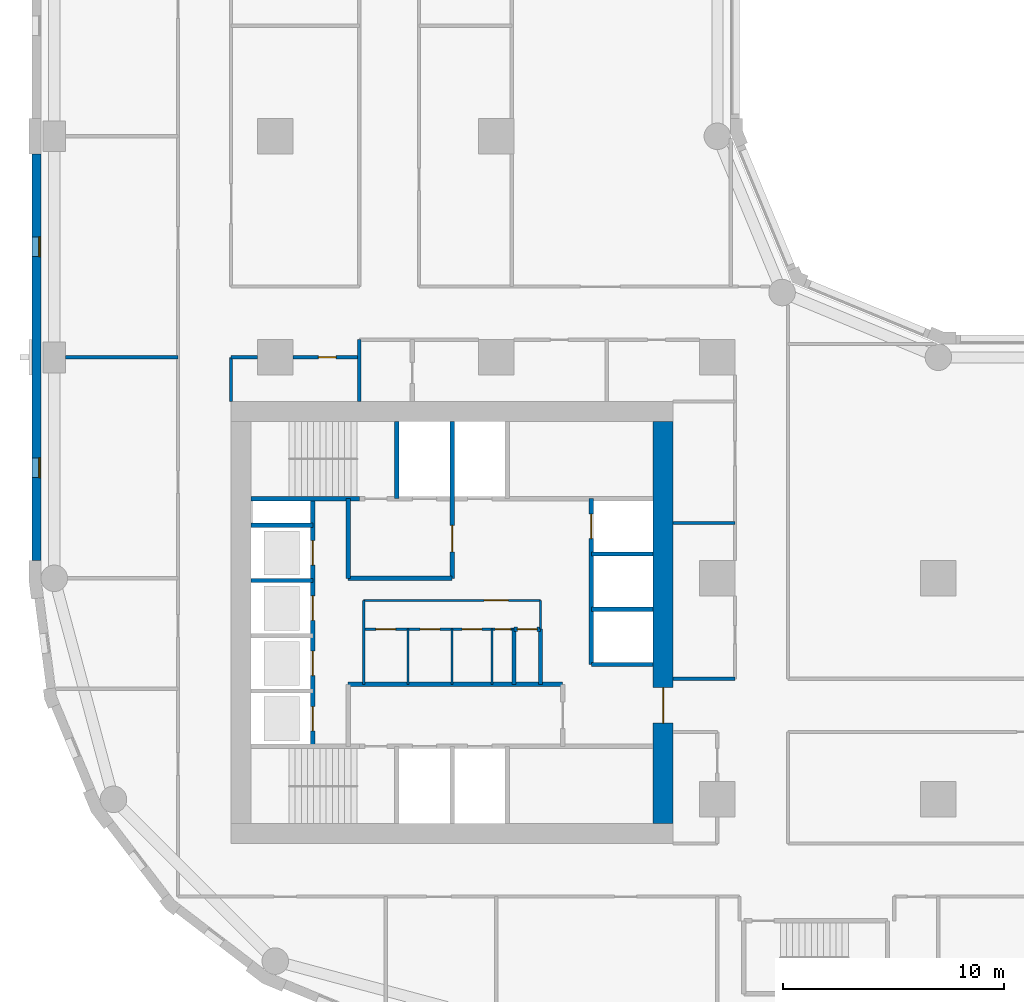
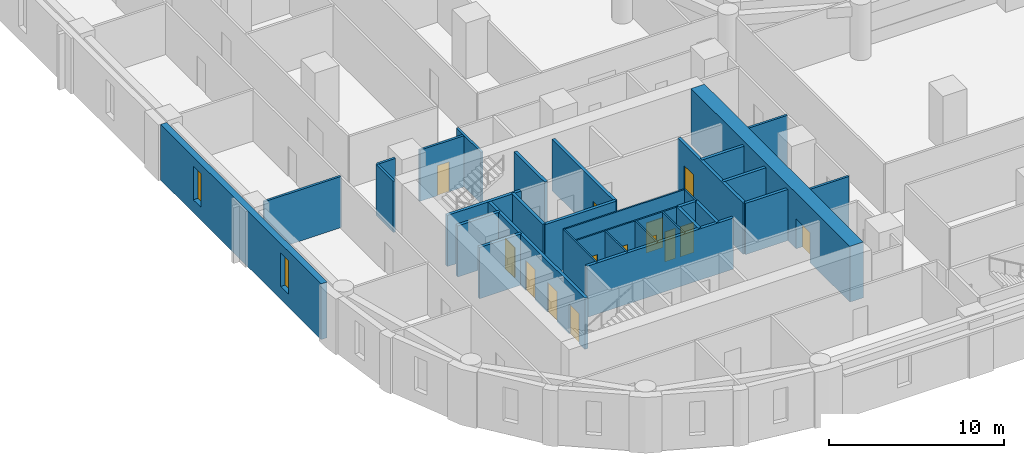
# One storey, part 3 of 10: 32 walls, 14 doors, 2 windows, 16 openings.
"""IFC4 building model written with IfcOpenShell, lengths in metres."""

from ifc_helpers import new_model, si_unit, direction, frame, frame_2d, origin, place, context, subcontext, project, spatial, rectangle, extrude, material, layer, layer_set, type_object, element, fill, save


model = new_model("IFC4")

# Units and contexts
model_context = context("Model", 3, precision=1e-05, world=origin(), true_north=direction((0.0, 1.0)))
body_context = subcontext(model_context, "Body", "Model", "MODEL_VIEW")
ifc_project = project(units=[si_unit("LENGTHUNIT", "METRE"), si_unit("AREAUNIT", "SQUARE_METRE"), si_unit("VOLUMEUNIT", "CUBIC_METRE"), si_unit("PLANEANGLEUNIT", "RADIAN"), si_unit("MASSUNIT", "GRAM", prefix="KILO")], contexts=[model_context])

# Site, building, storey
site_placement = place(None, origin())
site = spatial("IfcSite", under=ifc_project, at=site_placement, CompositionType="ELEMENT")
building_placement = place(site_placement, origin())
building = spatial("IfcBuilding", under=site, at=building_placement, Name="Qaws Garden Tower", CompositionType="ELEMENT")
storey_placement = place(building_placement, frame((0.0, 0.0, 101.699951171875)))
storey = spatial("IfcBuildingStorey", under=building, at=storey_placement, Name="L25", CompositionType="ELEMENT", Elevation=101.699951171875)

# Wall, openings, windows
ifc_material_1 = material(Name="Clay facing brick masonry", Category="masonry")
ifc_layer_1 = layer(ifc_material_1, 0.39990234375)
ifc_layer_set_1 = layer_set([ifc_layer_1], Name="Clay facing brick masonry")
wall_type_1 = type_object("IfcWallType", Name="Brick infill wall 400", PredefinedType="SOLIDWALL", material=ifc_layer_set_1)
wall_1_placement = place(storey_placement, frame((-0.800048828125, 39.199951171875, 0.0), z_axis=(0.0, 0.0, 1.0), x_axis=(0.0, -1.0, 0.0)))
wall_1 = element("IfcWall", 1, at=wall_1_placement, inside=storey, type_object=wall_type_1, Name="E-L25-infill-25", PredefinedType="SOLIDWALL", context=body_context, shape_type="SweptSolid", body=[
    extrude(rectangle(XDim=18.39990234375, YDim=0.39990234375, at=frame_2d((9.199951171875, 0.0))), origin(), (0.0, 0.0, 1.0), 3.900146484375),
])
opening_1_placement = place(wall_1_placement, frame((3.75, 0.0, 0.89990234375)))
opening_1 = element("IfcOpeningElement", 2, at=opening_1_placement, cuts=wall_1, Name="Opening W09", PredefinedType="OPENING", context=body_context, shape_type="SweptSolid", body=[
    extrude(rectangle(XDim=0.89990234375, YDim=2.35009765625, at=frame_2d((0.449951171875, 1.175048828125))), frame((0.0, 0.2099609375, 0.0), z_axis=(0.0, -1.0, 0.0), x_axis=(1.0, 0.0, 0.0)), (0.0, 0.0, 1.0), 0.419921875),
])
opening_2_placement = place(wall_1_placement, frame((13.75, 0.0, 0.89990234375)))
opening_2 = element("IfcOpeningElement", 3, at=opening_2_placement, cuts=wall_1, Name="Opening W09", PredefinedType="OPENING", context=body_context, shape_type="SweptSolid", body=[
    extrude(rectangle(XDim=0.89990234375, YDim=2.35009765625, at=frame_2d((0.449951171875, 1.175048828125))), frame((0.0, 0.2099609375, 0.0), z_axis=(0.0, -1.0, 0.0), x_axis=(1.0, 0.0, 0.0)), (0.0, 0.0, 1.0), 0.419921875),
])
ifc_material_2 = material(Name="Aluminium framed window, clear glazing", Category="aluminium")
window_type = type_object("IfcWindowType", Name="Slit window 900 x 2350", PartitioningType="SINGLE_PANEL", PredefinedType="WINDOW", material=ifc_material_2)
window_1_placement = place(opening_1_placement, origin())
window_1 = element("IfcWindow", 4, at=window_1_placement, inside=storey, type_object=window_type, Name="E-L25-window-25-0", OverallHeight=2.35009765625, OverallWidth=0.89990234375, PartitioningType="SINGLE_PANEL", PredefinedType="WINDOW", context=body_context, shape_type="SweptSolid", body=[
    extrude(rectangle(XDim=0.89990234375, YDim=2.35009765625, at=frame_2d((0.449951171875, 1.175048828125))), frame((0.0, 0.159912109375, 0.0), z_axis=(0.0, -1.0, 0.0), x_axis=(1.0, 0.0, 0.0)), (0.0, 0.0, 1.0), 0.06005859375),
])
fill(opening_1, window_1)
window_2_placement = place(opening_2_placement, origin())
window_2 = element("IfcWindow", 5, at=window_2_placement, inside=storey, type_object=window_type, Name="E-L25-window-26-0", OverallHeight=2.35009765625, OverallWidth=0.89990234375, PartitioningType="SINGLE_PANEL", PredefinedType="WINDOW", context=body_context, shape_type="SweptSolid", body=[
    extrude(rectangle(XDim=0.89990234375, YDim=2.35009765625, at=frame_2d((0.449951171875, 1.175048828125))), frame((0.0, 0.159912109375, 0.0), z_axis=(0.0, -1.0, 0.0), x_axis=(1.0, 0.0, 0.0)), (0.0, 0.0, 1.0), 0.06005859375),
])
fill(opening_2, window_2)

# Wall, openings, doors
ifc_material_3 = material(Name="Plasterboard")
ifc_layer_2 = layer(ifc_material_3, 0.10009765625)
ifc_layer_set_2 = layer_set([ifc_layer_2], Name="Plasterboard")
wall_type_2 = type_object("IfcWallType", Name="Core partition 100", PredefinedType="PARTITIONING", material=ifc_layer_set_2)
wall_2_placement = place(storey_placement, frame((14.0, 17.699951171875, 0.0), z_axis=(0.0, 0.0, 1.0), x_axis=(1.0, 0.0, 0.0)))
wall_2 = element("IfcWall", 6, at=wall_2_placement, inside=storey, type_object=wall_type_2, Name="Core partition", PredefinedType="PARTITIONING", context=body_context, shape_type="SweptSolid", body=[
    extrude(rectangle(XDim=6.800048828125, YDim=0.10009765625, at=frame_2d((3.39990234375, 0.0))), origin(), (0.0, 0.0, 1.0), 3.580078125),
])
opening_3_placement = place(wall_2_placement, frame((0.550048828125, 0.0, 0.0)))
opening_3 = element("IfcOpeningElement", 7, at=opening_3_placement, cuts=wall_2, Name="Opening WD18", PredefinedType="OPENING", context=body_context, shape_type="SweptSolid", body=[
    extrude(rectangle(XDim=0.89990234375, YDim=2.10009765625, at=frame_2d((0.449951171875, 1.050048828125))), frame((0.0, 0.06005859375, 0.0), z_axis=(0.0, -1.0, 0.0), x_axis=(1.0, 0.0, 0.0)), (0.0, 0.0, 1.0), 0.1201171875),
])
opening_4_placement = place(wall_2_placement, frame((2.550048828125, 0.0, 0.0)))
opening_4 = element("IfcOpeningElement", 8, at=opening_4_placement, cuts=wall_2, Name="Opening WD19", PredefinedType="OPENING", context=body_context, shape_type="SweptSolid", body=[
    extrude(rectangle(XDim=0.89990234375, YDim=2.10009765625, at=frame_2d((0.449951171875, 1.050048828125))), frame((0.0, 0.06005859375, 0.0), z_axis=(0.0, -1.0, 0.0), x_axis=(1.0, 0.0, 0.0)), (0.0, 0.0, 1.0), 0.1201171875),
])
opening_5_placement = place(wall_2_placement, frame((4.449951171875, 0.0, 0.0)))
opening_5 = element("IfcOpeningElement", 9, at=opening_5_placement, cuts=wall_2, Name="Opening WD20", PredefinedType="OPENING", context=body_context, shape_type="SweptSolid", body=[
    extrude(rectangle(XDim=0.89990234375, YDim=2.10009765625, at=frame_2d((0.449951171875, 1.050048828125))), frame((0.0, 0.06005859375, 0.0), z_axis=(0.0, -1.0, 0.0), x_axis=(1.0, 0.0, 0.0)), (0.0, 0.0, 1.0), 0.1201171875),
])
opening_6_placement = place(wall_2_placement, frame((5.949951171875, 0.0, 0.0)))
opening_6 = element("IfcOpeningElement", 10, at=opening_6_placement, cuts=wall_2, Name="Opening XD21", PredefinedType="OPENING", context=body_context, shape_type="SweptSolid", body=[
    extrude(rectangle(XDim=0.699951171875, YDim=2.10009765625, at=frame_2d((0.35009765625, 1.050048828125))), frame((0.0, 0.06005859375, 0.0), z_axis=(0.0, -1.0, 0.0), x_axis=(1.0, 0.0, 0.0)), (0.0, 0.0, 1.0), 0.1201171875),
])
ifc_material_4 = material(Name="Timber", Category="wood")
door_type_1 = type_object("IfcDoorType", Name="Store door 700x2100", OperationType="SINGLE_SWING_LEFT", PredefinedType="DOOR", material=ifc_material_4)
door_1_placement = place(opening_6_placement, frame((0.699951171875, 0.0, 0.0), z_axis=(0.0, 0.0, 1.0), x_axis=(-1.0, 0.0, 0.0)))
door_1 = element("IfcDoor", 11, at=door_1_placement, inside=storey, type_object=door_type_1, Name="Cleaner's store door", OperationType="SINGLE_SWING_LEFT", OverallHeight=2.10009765625, OverallWidth=0.699951171875, PredefinedType="DOOR", context=body_context, shape_type="SweptSolid", body=[
    extrude(rectangle(XDim=0.699951171875, YDim=2.10009765625, at=frame_2d((0.35009765625, 1.050048828125))), frame((0.0, 0.02490234375, 0.0), z_axis=(0.0, -1.0, 0.0), x_axis=(1.0, 0.0, 0.0)), (0.0, 0.0, 1.0), 0.050048828125),
])
fill(opening_6, door_1)
ifc_material_5 = material(Name="Timber", Category="wood")
door_type_2 = type_object("IfcDoorType", Name="WC door 900x2100", OperationType="SINGLE_SWING_LEFT", PredefinedType="DOOR", material=ifc_material_5)
door_2_placement = place(opening_3_placement, frame((0.89990234375, 0.0, 0.0), z_axis=(0.0, 0.0, 1.0), x_axis=(-1.0, 0.0, 0.0)))
door_2 = element("IfcDoor", 12, at=door_2_placement, inside=storey, type_object=door_type_2, Name="Women's WC door", OperationType="SINGLE_SWING_LEFT", OverallHeight=2.10009765625, OverallWidth=0.89990234375, PredefinedType="DOOR", context=body_context, shape_type="SweptSolid", body=[
    extrude(rectangle(XDim=0.89990234375, YDim=2.10009765625, at=frame_2d((0.449951171875, 1.050048828125))), frame((0.0, 0.02490234375, 0.0), z_axis=(0.0, -1.0, 0.0), x_axis=(1.0, 0.0, 0.0)), (0.0, 0.0, 1.0), 0.050048828125),
])
fill(opening_3, door_2)
door_3_placement = place(opening_4_placement, frame((0.89990234375, 0.0, 0.0), z_axis=(0.0, 0.0, 1.0), x_axis=(-1.0, 0.0, 0.0)))
door_3 = element("IfcDoor", 13, at=door_3_placement, inside=storey, type_object=door_type_2, Name="Men's WC door", OperationType="SINGLE_SWING_LEFT", OverallHeight=2.10009765625, OverallWidth=0.89990234375, PredefinedType="DOOR", context=body_context, shape_type="SweptSolid", body=[
    extrude(rectangle(XDim=0.89990234375, YDim=2.10009765625, at=frame_2d((0.449951171875, 1.050048828125))), frame((0.0, 0.02490234375, 0.0), z_axis=(0.0, -1.0, 0.0), x_axis=(1.0, 0.0, 0.0)), (0.0, 0.0, 1.0), 0.050048828125),
])
fill(opening_4, door_3)
door_4_placement = place(opening_5_placement, frame((0.89990234375, 0.0, 0.0), z_axis=(0.0, 0.0, 1.0), x_axis=(-1.0, 0.0, 0.0)))
door_4 = element("IfcDoor", 14, at=door_4_placement, inside=storey, type_object=door_type_2, Name="Accessible WC door", OperationType="SINGLE_SWING_LEFT", OverallHeight=2.10009765625, OverallWidth=0.89990234375, PredefinedType="DOOR", context=body_context, shape_type="SweptSolid", body=[
    extrude(rectangle(XDim=0.89990234375, YDim=2.10009765625, at=frame_2d((0.449951171875, 1.050048828125))), frame((0.0, 0.02490234375, 0.0), z_axis=(0.0, -1.0, 0.0), x_axis=(1.0, 0.0, 0.0)), (0.0, 0.0, 1.0), 0.050048828125),
])
fill(opening_5, door_4)

# Wall, opening, door
wall_3_placement = place(storey_placement, frame((14.0, 19.0, 0.0), z_axis=(0.0, 0.0, 1.0), x_axis=(1.0, 0.0, 0.0)))
wall_3 = element("IfcWall", 15, at=wall_3_placement, inside=storey, type_object=wall_type_2, Name="Core partition", PredefinedType="PARTITIONING", context=body_context, shape_type="SweptSolid", body=[
    extrude(rectangle(XDim=8.0, YDim=0.10009765625, at=frame_2d((4.0, 0.0))), origin(), (0.0, 0.0, 1.0), 3.580078125),
])
opening_7_placement = place(wall_3_placement, frame((5.449951171875, 0.0, 0.0)))
opening_7 = element("IfcOpeningElement", 16, at=opening_7_placement, cuts=wall_3, Name="Opening WL17", PredefinedType="OPENING", context=body_context, shape_type="SweptSolid", body=[
    extrude(rectangle(XDim=1.10009765625, YDim=2.10009765625, at=frame_2d((0.550048828125, 1.050048828125))), frame((0.0, 0.06005859375, 0.0), z_axis=(0.0, -1.0, 0.0), x_axis=(1.0, 0.0, 0.0)), (0.0, 0.0, 1.0), 0.1201171875),
])
ifc_material_6 = material(Name="Timber", Category="wood")
door_type_3 = type_object("IfcDoorType", Name="WC lobby door 1100x2100", OperationType="SINGLE_SWING_LEFT", PredefinedType="DOOR", material=ifc_material_6)
door_5_placement = place(opening_7_placement, frame((1.10009765625, 0.0, 0.0), z_axis=(0.0, 0.0, 1.0), x_axis=(-1.0, 0.0, 0.0)))
door_5 = element("IfcDoor", 17, at=door_5_placement, inside=storey, type_object=door_type_3, Name="WC lobby door", OperationType="SINGLE_SWING_LEFT", OverallHeight=2.10009765625, OverallWidth=1.10009765625, PredefinedType="DOOR", context=body_context, shape_type="SweptSolid", body=[
    extrude(rectangle(XDim=1.10009765625, YDim=2.10009765625, at=frame_2d((0.550048828125, 1.050048828125))), frame((0.0, 0.02490234375, 0.0), z_axis=(0.0, -1.0, 0.0), x_axis=(1.0, 0.0, 0.0)), (0.0, 0.0, 1.0), 0.050048828125),
])
fill(opening_7, door_5)

# Walls
wall_4_placement = place(storey_placement, frame((14.0, 15.199951171875, 0.0), z_axis=(0.0, 0.0, 1.0), x_axis=(0.0, 1.0, 0.0)))
element("IfcWall", 18, at=wall_4_placement, inside=storey, type_object=wall_type_2, Name="Core partition", PredefinedType="PARTITIONING", context=body_context, shape_type="SweptSolid", body=[
    extrude(rectangle(XDim=3.800048828125, YDim=0.10009765625, at=frame_2d((1.89990234375, 0.0))), origin(), (0.0, 0.0, 1.0), 3.580078125),
])
for number, where, z_axis, x_axis, name in (
    (19, (16.0, 15.199951171875, 0.0), (0.0, 0.0, 1.0), (0.0, 1.0, 0.0), "Core partition"),
    (20, (18.0, 15.199951171875, 0.0), (0.0, 0.0, 1.0), (0.0, 1.0, 0.0), "Core partition"),
    (21, (19.800048828125, 15.199951171875, 0.0), (0.0, 0.0, 1.0), (0.0, 1.0, 0.0), "Core partition"),
):
    element("IfcWall", number, at=place(storey_placement, frame(where, z_axis=z_axis, x_axis=x_axis)), inside=storey, type_object=wall_type_2, Name=name, PredefinedType="PARTITIONING", context=body_context, shape_type="SweptSolid", body=[
        extrude(rectangle(XDim=2.5, YDim=0.10009765625, at=frame_2d((1.25, 0.0))), origin(), (0.0, 0.0, 1.0), 3.580078125),
    ])
wall_5_placement = place(storey_placement, frame((22.0, 17.699951171875, 0.0), z_axis=(0.0, 0.0, 1.0), x_axis=(0.0, 1.0, 0.0)))
element("IfcWall", 22, at=wall_5_placement, inside=storey, type_object=wall_type_2, Name="Core partition", PredefinedType="PARTITIONING", context=body_context, shape_type="SweptSolid", body=[
    extrude(rectangle(XDim=1.300048828125, YDim=0.10009765625, at=frame_2d((0.64990234375, 0.0))), origin(), (0.0, 0.0, 1.0), 3.580078125),
])
ifc_material_7 = material(Name="Concrete C80", Category="concrete")
ifc_layer_3 = layer(ifc_material_7, 0.199951171875)
ifc_layer_set_3 = layer_set([ifc_layer_3], Name="Concrete C80")
wall_type_3 = type_object("IfcWallType", Name="Core shaft wall 200 C80", PredefinedType="SHEAR", material=ifc_layer_set_3)
wall_6_placement = place(storey_placement, frame((13.300048828125, 15.199951171875, 0.0), z_axis=(0.0, 0.0, 1.0), x_axis=(1.0, 0.0, 0.0)))
element("IfcWall", 23, at=wall_6_placement, inside=storey, type_object=wall_type_3, Name="Shaft wall", PredefinedType="SHEAR", context=body_context, shape_type="SweptSolid", body=[
    extrude(rectangle(XDim=9.699951171875, YDim=0.199951171875, at=frame_2d((4.85009765625, 0.0))), origin(), (0.0, 0.0, 1.0), 3.580078125),
])
wall_7_placement = place(storey_placement, frame((24.300048828125, 16.10009765625, 0.0), z_axis=(0.0, 0.0, 1.0), x_axis=(1.0, 0.0, 0.0)))
element("IfcWall", 24, at=wall_7_placement, inside=storey, type_object=wall_type_3, Name="Shaft wall", PredefinedType="SHEAR", context=body_context, shape_type="SweptSolid", body=[
    extrude(rectangle(XDim=2.800048828125, YDim=0.199951171875, at=frame_2d((1.39990234375, 0.0))), origin(), (0.0, 0.0, 1.0), 3.580078125),
])

# Wall, opening, door
wall_8_placement = place(storey_placement, frame((20.800048828125, 17.699951171875, 0.0), z_axis=(0.0, 0.0, 1.0), x_axis=(1.0, 0.0, 0.0)))
wall_8 = element("IfcWall", 25, at=wall_8_placement, inside=storey, type_object=wall_type_3, Name="Shaft wall", PredefinedType="SHEAR", context=body_context, shape_type="SweptSolid", body=[
    extrude(rectangle(XDim=1.199951171875, YDim=0.199951171875, at=frame_2d((0.60009765625, 0.0))), origin(), (0.0, 0.0, 1.0), 3.580078125),
])
opening_8_placement = place(wall_8_placement, frame((0.14990234375, 0.0, 0.0)))
opening_8 = element("IfcOpeningElement", 26, at=opening_8_placement, cuts=wall_8, Name="Opening WD22", PredefinedType="OPENING", context=body_context, shape_type="SweptSolid", body=[
    extrude(rectangle(XDim=0.89990234375, YDim=2.10009765625, at=frame_2d((0.449951171875, 1.050048828125))), frame((0.0, 0.10986328125, 0.0), z_axis=(0.0, -1.0, 0.0), x_axis=(1.0, 0.0, 0.0)), (0.0, 0.0, 1.0), 0.219970703125),
])
door_6_placement = place(opening_8_placement, frame((0.89990234375, 0.0, 0.0), z_axis=(0.0, 0.0, 1.0), x_axis=(-1.0, 0.0, 0.0)))
door_6 = element("IfcDoor", 27, at=door_6_placement, inside=storey, type_object=door_type_2, Name="Telecom riser door", OperationType="SINGLE_SWING_LEFT", OverallHeight=2.10009765625, OverallWidth=0.89990234375, PredefinedType="DOOR", context=body_context, shape_type="SweptSolid", body=[
    extrude(rectangle(XDim=0.89990234375, YDim=2.10009765625, at=frame_2d((0.449951171875, 1.050048828125))), frame((0.0, 0.02490234375, 0.0), z_axis=(0.0, -1.0, 0.0), x_axis=(1.0, 0.0, 0.0)), (0.0, 0.0, 1.0), 0.050048828125),
])
fill(opening_8, door_6)

# Walls
for number, where, z_axis, x_axis, name in (
    (28, (24.300048828125, 18.60009765625, 0.0), (0.0, 0.0, 1.0), (1.0, 0.0, 0.0), "Shaft wall"),
    (29, (8.89990234375, 19.89990234375, 0.0), (0.0, 0.0, 1.0), (1.0, 0.0, 0.0), "Shaft wall"),
):
    element("IfcWall", number, at=place(storey_placement, frame(where, z_axis=z_axis, x_axis=x_axis)), inside=storey, type_object=wall_type_3, Name=name, PredefinedType="SHEAR", context=body_context, shape_type="SweptSolid", body=[
        extrude(rectangle(XDim=2.800048828125, YDim=0.199951171875, at=frame_2d((1.39990234375, 0.0))), origin(), (0.0, 0.0, 1.0), 3.580078125),
    ])
wall_9_placement = place(storey_placement, frame((13.300048828125, 20.0, 0.0), z_axis=(0.0, 0.0, 1.0), x_axis=(1.0, 0.0, 0.0)))
element("IfcWall", 30, at=wall_9_placement, inside=storey, type_object=wall_type_3, Name="Shaft wall", PredefinedType="SHEAR", context=body_context, shape_type="SweptSolid", body=[
    extrude(rectangle(XDim=4.699951171875, YDim=0.199951171875, at=frame_2d((2.35009765625, 0.0))), origin(), (0.0, 0.0, 1.0), 3.580078125),
])
for number, where, z_axis, x_axis, name in (
    (31, (24.300048828125, 21.10009765625, 0.0), (0.0, 0.0, 1.0), (1.0, 0.0, 0.0), "Shaft wall"),
    (32, (8.89990234375, 22.39990234375, 0.0), (0.0, 0.0, 1.0), (1.0, 0.0, 0.0), "Shaft wall"),
):
    element("IfcWall", number, at=place(storey_placement, frame(where, z_axis=z_axis, x_axis=x_axis)), inside=storey, type_object=wall_type_3, Name=name, PredefinedType="SHEAR", context=body_context, shape_type="SweptSolid", body=[
        extrude(rectangle(XDim=2.800048828125, YDim=0.199951171875, at=frame_2d((1.39990234375, 0.0))), origin(), (0.0, 0.0, 1.0), 3.580078125),
    ])
wall_10_placement = place(storey_placement, frame((8.89990234375, 23.60009765625, 0.0), z_axis=(0.0, 0.0, 1.0), x_axis=(1.0, 0.0, 0.0)))
element("IfcWall", 33, at=wall_10_placement, inside=storey, type_object=wall_type_3, Name="Shaft wall", PredefinedType="SHEAR", context=body_context, shape_type="SweptSolid", body=[
    extrude(rectangle(XDim=4.900146484375, YDim=0.199951171875, at=frame_2d((2.4501953125, 0.0))), origin(), (0.0, 0.0, 1.0), 3.580078125),
])

# Wall, openings, doors
wall_11_placement = place(storey_placement, frame((11.699951171875, 12.39990234375, 0.0), z_axis=(0.0, 0.0, 1.0), x_axis=(0.0, 1.0, 0.0)))
wall_11 = element("IfcWall", 34, at=wall_11_placement, inside=storey, type_object=wall_type_3, Name="Shaft wall", PredefinedType="SHEAR", context=body_context, shape_type="SweptSolid", body=[
    extrude(rectangle(XDim=11.2001953125, YDim=0.199951171875, at=frame_2d((5.60009765625, 0.0))), origin(), (0.0, 0.0, 1.0), 3.580078125),
])
opening_9_placement = place(wall_11_placement, frame((0.699951171875, 0.0, 0.0)))
opening_9 = element("IfcOpeningElement", 35, at=opening_9_placement, cuts=wall_11, Name="Opening LD01", PredefinedType="OPENING", context=body_context, shape_type="SweptSolid", body=[
    extrude(rectangle(XDim=1.10009765625, YDim=2.10009765625, at=frame_2d((0.550048828125, 1.050048828125))), frame((0.0, 0.10986328125, 0.0), z_axis=(0.0, -1.0, 0.0), x_axis=(1.0, 0.0, 0.0)), (0.0, 0.0, 1.0), 0.219970703125),
])
opening_10_placement = place(wall_11_placement, frame((3.199951171875, 0.0, 0.0)))
opening_10 = element("IfcOpeningElement", 36, at=opening_10_placement, cuts=wall_11, Name="Opening LD02", PredefinedType="OPENING", context=body_context, shape_type="SweptSolid", body=[
    extrude(rectangle(XDim=1.10009765625, YDim=2.10009765625, at=frame_2d((0.550048828125, 1.050048828125))), frame((0.0, 0.10986328125, 0.0), z_axis=(0.0, -1.0, 0.0), x_axis=(1.0, 0.0, 0.0)), (0.0, 0.0, 1.0), 0.219970703125),
])
opening_11_placement = place(wall_11_placement, frame((5.699951171875, 0.0, 0.0)))
opening_11 = element("IfcOpeningElement", 37, at=opening_11_placement, cuts=wall_11, Name="Opening LD03", PredefinedType="OPENING", context=body_context, shape_type="SweptSolid", body=[
    extrude(rectangle(XDim=1.10009765625, YDim=2.10009765625, at=frame_2d((0.550048828125, 1.050048828125))), frame((0.0, 0.10986328125, 0.0), z_axis=(0.0, -1.0, 0.0), x_axis=(1.0, 0.0, 0.0)), (0.0, 0.0, 1.0), 0.219970703125),
])
opening_12_placement = place(wall_11_placement, frame((8.199951171875, 0.0, 0.0)))
opening_12 = element("IfcOpeningElement", 38, at=opening_12_placement, cuts=wall_11, Name="Opening LD04", PredefinedType="OPENING", context=body_context, shape_type="SweptSolid", body=[
    extrude(rectangle(XDim=1.10009765625, YDim=2.10009765625, at=frame_2d((0.550048828125, 1.050048828125))), frame((0.0, 0.10986328125, 0.0), z_axis=(0.0, -1.0, 0.0), x_axis=(1.0, 0.0, 0.0)), (0.0, 0.0, 1.0), 0.219970703125),
])
ifc_material_8 = material(Name="Steel S235", Category="steel")
door_type_4 = type_object("IfcDoorType", Name="Landing door 1100x2100", OperationType="DOUBLE_DOOR_SLIDING", PredefinedType="DOOR", material=ifc_material_8)
door_7_placement = place(opening_9_placement, origin())
door_7 = element("IfcDoor", 39, at=door_7_placement, inside=storey, type_object=door_type_4, Name="Lift W1 landing door", OperationType="DOUBLE_DOOR_SLIDING", OverallHeight=2.10009765625, OverallWidth=1.10009765625, PredefinedType="DOOR", context=body_context, shape_type="SweptSolid", body=[
    extrude(rectangle(XDim=1.10009765625, YDim=2.10009765625, at=frame_2d((0.550048828125, 1.050048828125))), frame((0.0, 0.02490234375, 0.0), z_axis=(0.0, -1.0, 0.0), x_axis=(1.0, 0.0, 0.0)), (0.0, 0.0, 1.0), 0.050048828125),
])
fill(opening_9, door_7)
door_8_placement = place(opening_10_placement, origin())
door_8 = element("IfcDoor", 40, at=door_8_placement, inside=storey, type_object=door_type_4, Name="Lift W2 landing door", OperationType="DOUBLE_DOOR_SLIDING", OverallHeight=2.10009765625, OverallWidth=1.10009765625, PredefinedType="DOOR", context=body_context, shape_type="SweptSolid", body=[
    extrude(rectangle(XDim=1.10009765625, YDim=2.10009765625, at=frame_2d((0.550048828125, 1.050048828125))), frame((0.0, 0.02490234375, 0.0), z_axis=(0.0, -1.0, 0.0), x_axis=(1.0, 0.0, 0.0)), (0.0, 0.0, 1.0), 0.050048828125),
])
fill(opening_10, door_8)
door_9_placement = place(opening_11_placement, origin())
door_9 = element("IfcDoor", 41, at=door_9_placement, inside=storey, type_object=door_type_4, Name="Lift W3 landing door", OperationType="DOUBLE_DOOR_SLIDING", OverallHeight=2.10009765625, OverallWidth=1.10009765625, PredefinedType="DOOR", context=body_context, shape_type="SweptSolid", body=[
    extrude(rectangle(XDim=1.10009765625, YDim=2.10009765625, at=frame_2d((0.550048828125, 1.050048828125))), frame((0.0, 0.02490234375, 0.0), z_axis=(0.0, -1.0, 0.0), x_axis=(1.0, 0.0, 0.0)), (0.0, 0.0, 1.0), 0.050048828125),
])
fill(opening_11, door_9)
door_10_placement = place(opening_12_placement, origin())
door_10 = element("IfcDoor", 42, at=door_10_placement, inside=storey, type_object=door_type_4, Name="Lift W4 landing door", OperationType="DOUBLE_DOOR_SLIDING", OverallHeight=2.10009765625, OverallWidth=1.10009765625, PredefinedType="DOOR", context=body_context, shape_type="SweptSolid", body=[
    extrude(rectangle(XDim=1.10009765625, YDim=2.10009765625, at=frame_2d((0.550048828125, 1.050048828125))), frame((0.0, 0.02490234375, 0.0), z_axis=(0.0, -1.0, 0.0), x_axis=(1.0, 0.0, 0.0)), (0.0, 0.0, 1.0), 0.050048828125),
])
fill(opening_12, door_10)

# Walls
wall_12_placement = place(storey_placement, frame((13.300048828125, 20.0, 0.0), z_axis=(0.0, 0.0, 1.0), x_axis=(0.0, 1.0, 0.0)))
element("IfcWall", 43, at=wall_12_placement, inside=storey, type_object=wall_type_3, Name="Shaft wall", PredefinedType="SHEAR", context=body_context, shape_type="SweptSolid", body=[
    extrude(rectangle(XDim=3.60009765625, YDim=0.199951171875, at=frame_2d((1.800048828125, 0.0))), origin(), (0.0, 0.0, 1.0), 3.580078125),
])
wall_13_placement = place(storey_placement, frame((15.5, 23.60009765625, 0.0), z_axis=(0.0, 0.0, 1.0), x_axis=(0.0, 1.0, 0.0)))
element("IfcWall", 44, at=wall_13_placement, inside=storey, type_object=wall_type_3, Name="Shaft wall", PredefinedType="SHEAR", context=body_context, shape_type="SweptSolid", body=[
    extrude(rectangle(XDim=3.5, YDim=0.199951171875, at=frame_2d((1.75, 0.0))), origin(), (0.0, 0.0, 1.0), 3.580078125),
])

# Wall, opening, door
wall_14_placement = place(storey_placement, frame((18.0, 20.0, 0.0), z_axis=(0.0, 0.0, 1.0), x_axis=(0.0, 1.0, 0.0)))
wall_14 = element("IfcWall", 45, at=wall_14_placement, inside=storey, type_object=wall_type_3, Name="Shaft wall", PredefinedType="SHEAR", context=body_context, shape_type="SweptSolid", body=[
    extrude(rectangle(XDim=7.10009765625, YDim=0.199951171875, at=frame_2d((3.550048828125, 0.0))), origin(), (0.0, 0.0, 1.0), 3.580078125),
])
opening_13_placement = place(wall_14_placement, frame((1.199951171875, 0.0, 0.0)))
opening_13 = element("IfcOpeningElement", 46, at=opening_13_placement, cuts=wall_14, Name="Opening FD16", PredefinedType="OPENING", context=body_context, shape_type="SweptSolid", body=[
    extrude(rectangle(XDim=1.199951171875, YDim=2.10009765625, at=frame_2d((0.60009765625, 1.050048828125))), frame((0.0, 0.10986328125, 0.0), z_axis=(0.0, -1.0, 0.0), x_axis=(1.0, 0.0, 0.0)), (0.0, 0.0, 1.0), 0.219970703125),
])
ifc_material_9 = material(Name="Steel S235", Category="steel")
door_type_5 = type_object("IfcDoorType", Name="Lobby door 1200x2100", OperationType="DOUBLE_DOOR_SINGLE_SWING", PredefinedType="DOOR", material=ifc_material_9)
door_11_placement = place(opening_13_placement, origin())
door_11 = element("IfcDoor", 47, at=door_11_placement, inside=storey, type_object=door_type_5, Name="Fire-fighting lobby door", OperationType="DOUBLE_DOOR_SINGLE_SWING", OverallHeight=2.10009765625, OverallWidth=1.199951171875, PredefinedType="DOOR", context=body_context, shape_type="SweptSolid", body=[
    extrude(rectangle(XDim=1.199951171875, YDim=2.10009765625, at=frame_2d((0.60009765625, 1.050048828125))), frame((0.0, 0.02490234375, 0.0), z_axis=(0.0, -1.0, 0.0), x_axis=(1.0, 0.0, 0.0)), (0.0, 0.0, 1.0), 0.050048828125),
])
fill(opening_13, door_11)

# Walls
for number, where, z_axis, x_axis, name in (
    (48, (20.800048828125, 15.199951171875, 0.0), (0.0, 0.0, 1.0), (0.0, 1.0, 0.0), "Shaft wall"),
    (49, (22.0, 15.199951171875, 0.0), (0.0, 0.0, 1.0), (0.0, 1.0, 0.0), "Shaft wall"),
):
    element("IfcWall", number, at=place(storey_placement, frame(where, z_axis=z_axis, x_axis=x_axis)), inside=storey, type_object=wall_type_3, Name=name, PredefinedType="SHEAR", context=body_context, shape_type="SweptSolid", body=[
        extrude(rectangle(XDim=2.5, YDim=0.199951171875, at=frame_2d((1.25, 0.0))), origin(), (0.0, 0.0, 1.0), 3.580078125),
    ])

# Wall, opening, door
wall_15_placement = place(storey_placement, frame((24.300048828125, 16.10009765625, 0.0), z_axis=(0.0, 0.0, 1.0), x_axis=(0.0, 1.0, 0.0)))
wall_15 = element("IfcWall", 50, at=wall_15_placement, inside=storey, type_object=wall_type_3, Name="Shaft wall", PredefinedType="SHEAR", context=body_context, shape_type="SweptSolid", body=[
    extrude(rectangle(XDim=7.5, YDim=0.199951171875, at=frame_2d((3.75, 0.0))), origin(), (0.0, 0.0, 1.0), 3.580078125),
])
opening_14_placement = place(wall_15_placement, frame((5.699951171875, 0.0, 0.0)))
opening_14 = element("IfcOpeningElement", 51, at=opening_14_placement, cuts=wall_15, Name="Opening LD05", PredefinedType="OPENING", context=body_context, shape_type="SweptSolid", body=[
    extrude(rectangle(XDim=1.10009765625, YDim=2.10009765625, at=frame_2d((0.550048828125, 1.050048828125))), frame((0.0, 0.10986328125, 0.0), z_axis=(0.0, -1.0, 0.0), x_axis=(1.0, 0.0, 0.0)), (0.0, 0.0, 1.0), 0.219970703125),
])
door_12_placement = place(opening_14_placement, origin())
door_12 = element("IfcDoor", 52, at=door_12_placement, inside=storey, type_object=door_type_4, Name="Lift E3 landing door", OperationType="DOUBLE_DOOR_SLIDING", OverallHeight=2.10009765625, OverallWidth=1.10009765625, PredefinedType="DOOR", context=body_context, shape_type="SweptSolid", body=[
    extrude(rectangle(XDim=1.10009765625, YDim=2.10009765625, at=frame_2d((0.550048828125, 1.050048828125))), frame((0.0, 0.02490234375, 0.0), z_axis=(0.0, -1.0, 0.0), x_axis=(1.0, 0.0, 0.0)), (0.0, 0.0, 1.0), 0.050048828125),
])
fill(opening_14, door_12)

ifc_material_10 = material(Name="Concrete C80", Category="concrete")
ifc_layer_4 = layer(ifc_material_10, 0.89990234375)
ifc_layer_set_4 = layer_set([ifc_layer_4], Name="Concrete C80")
wall_type_4 = type_object("IfcWallType", Name="Core wall 900 C80", PredefinedType="SHEAR", material=ifc_layer_set_4)
wall_16_placement = place(storey_placement, frame((27.550048828125, 8.89990234375, 0.0), z_axis=(0.0, 0.0, 1.0), x_axis=(0.0, 1.0, 0.0)))
wall_16 = element("IfcWall", 53, at=wall_16_placement, inside=storey, type_object=wall_type_4, Name="Core wall L25 east", PredefinedType="SHEAR", context=body_context, shape_type="SweptSolid", body=[
    extrude(rectangle(XDim=18.2001953125, YDim=0.89990234375, at=frame_2d((9.10009765625, 0.0))), origin(), (0.0, 0.0, 1.0), 3.900146484375),
])
opening_15_placement = place(wall_16_placement, frame((4.550048828125, 0.0, 0.0)))
opening_15 = element("IfcOpeningElement", 54, at=opening_15_placement, cuts=wall_16, Name="Opening ED23", PredefinedType="OPENING", context=body_context, shape_type="SweptSolid", body=[
    extrude(rectangle(XDim=1.60009765625, YDim=2.10009765625, at=frame_2d((0.800048828125, 1.050048828125))), frame((0.0, 0.4599609375, 0.0), z_axis=(0.0, -1.0, 0.0), x_axis=(1.0, 0.0, 0.0)), (0.0, 0.0, 1.0), 0.919921875),
])
ifc_material_11 = material(Name="Steel S235", Category="steel")
door_type_6 = type_object("IfcDoorType", Name="Core entrance door 1600x2100", OperationType="DOUBLE_DOOR_SINGLE_SWING", PredefinedType="DOOR", material=ifc_material_11)
door_13_placement = place(opening_15_placement, origin())
door_13 = element("IfcDoor", 55, at=door_13_placement, inside=storey, type_object=door_type_6, Name="Core entrance door", OperationType="DOUBLE_DOOR_SINGLE_SWING", OverallHeight=2.10009765625, OverallWidth=1.60009765625, PredefinedType="DOOR", context=body_context, shape_type="SweptSolid", body=[
    extrude(rectangle(XDim=1.60009765625, YDim=2.10009765625, at=frame_2d((0.800048828125, 1.050048828125))), frame((0.0, 0.02490234375, 0.0), z_axis=(0.0, -1.0, 0.0), x_axis=(1.0, 0.0, 0.0)), (0.0, 0.0, 1.0), 0.050048828125),
])
fill(opening_15, door_13)

# Walls
ifc_material_12 = material(Name="Gypsum board partition")
ifc_layer_5 = layer(ifc_material_12, 0.14990234375)
ifc_layer_set_5 = layer_set([ifc_layer_5], Name="Gypsum board partition")
wall_type_5 = type_object("IfcWallType", Name="PARTITION 150 EI 60", PredefinedType="PARTITIONING", material=ifc_layer_set_5)
wall_17_placement = place(storey_placement, frame((8.0, 28.0, 0.0), z_axis=(0.0, 0.0, 1.0), x_axis=(0.0, 1.0, 0.0)))
element("IfcWall", 56, at=wall_17_placement, inside=storey, type_object=wall_type_5, Name="O-L25-wall-002", PredefinedType="PARTITIONING", context=body_context, shape_type="SweptSolid", body=[
    extrude(rectangle(XDim=2.0, YDim=0.14990234375, at=frame_2d((1.0, 0.0))), origin(), (0.0, 0.0, 1.0), 3.580078125),
])
for number, where, z_axis, x_axis, name in (
    (57, (13.800048828125, 28.0, 0.0), (0.0, 0.0, 1.0), (0.0, 1.0, 0.0), "O-L25-wall-005"),
    (58, (28.0, 15.449951171875, 0.0), (0.0, 0.0, 1.0), (1.0, 0.0, 0.0), "O-L25-wall-038"),
    (59, (28.0, 22.5, 0.0), (0.0, 0.0, 1.0), (1.0, 0.0, 0.0), "O-L25-wall-041"),
):
    element("IfcWall", number, at=place(storey_placement, frame(where, z_axis=z_axis, x_axis=x_axis)), inside=storey, type_object=wall_type_5, Name=name, PredefinedType="PARTITIONING", context=body_context, shape_type="SweptSolid", body=[
        extrude(rectangle(XDim=2.800048828125, YDim=0.14990234375, at=frame_2d((1.39990234375, 0.0))), origin(), (0.0, 0.0, 1.0), 3.580078125),
    ])
wall_18_placement = place(storey_placement, frame((0.5, 30.0, 0.0), z_axis=(0.0, 0.0, 1.0), x_axis=(1.0, 0.0, 0.0)))
element("IfcWall", 60, at=wall_18_placement, inside=storey, type_object=wall_type_5, Name="O-L25-wall-043", PredefinedType="PARTITIONING", context=body_context, shape_type="SweptSolid", body=[
    extrude(rectangle(XDim=5.10009765625, YDim=0.14990234375, at=frame_2d((2.550048828125, 0.0))), origin(), (0.0, 0.0, 1.0), 3.580078125),
])
wall_19_placement = place(storey_placement, frame((8.0, 30.0, 0.0), z_axis=(0.0, 0.0, 1.0), x_axis=(1.0, 0.0, 0.0)))
element("IfcWall", 61, at=wall_19_placement, inside=storey, type_object=wall_type_5, Name="O-L25-wall-044", PredefinedType="PARTITIONING", context=body_context, shape_type="SweptSolid", body=[
    extrude(rectangle(XDim=1.199951171875, YDim=0.14990234375, at=frame_2d((0.60009765625, 0.0))), origin(), (0.0, 0.0, 1.0), 3.580078125),
])

# Wall, opening, door
wall_20_placement = place(storey_placement, frame((10.800048828125, 30.0, 0.0), z_axis=(0.0, 0.0, 1.0), x_axis=(1.0, 0.0, 0.0)))
wall_20 = element("IfcWall", 62, at=wall_20_placement, inside=storey, type_object=wall_type_5, Name="O-L25-wall-045", PredefinedType="PARTITIONING", context=body_context, shape_type="SweptSolid", body=[
    extrude(rectangle(XDim=3.0, YDim=0.14990234375, at=frame_2d((1.5, 0.0))), origin(), (0.0, 0.0, 1.0), 3.580078125),
])
opening_16_placement = place(wall_20_placement, frame((1.14990234375, 0.0, 0.0)))
opening_16 = element("IfcOpeningElement", 63, at=opening_16_placement, cuts=wall_20, Name="Opening A810", PredefinedType="OPENING", context=body_context, shape_type="SweptSolid", body=[
    extrude(rectangle(XDim=0.800048828125, YDim=2.10009765625, at=frame_2d((0.39990234375, 1.050048828125))), frame((0.0, 0.0849609375, 0.0), z_axis=(0.0, -1.0, 0.0), x_axis=(1.0, 0.0, 0.0)), (0.0, 0.0, 1.0), 0.169921875),
])
ifc_material_13 = material(Name="Timber door leaf", Category="wood")
door_type_7 = type_object("IfcDoorType", Name="STORE DOOR 800 X 2100", OperationType="SINGLE_SWING_LEFT", PredefinedType="DOOR", material=ifc_material_13)
door_14_placement = place(opening_16_placement, frame((0.800048828125, 0.0, 0.0), z_axis=(0.0, 0.0, 1.0), x_axis=(-1.0, 0.0, 0.0)))
door_14 = element("IfcDoor", 64, at=door_14_placement, inside=storey, type_object=door_type_7, Name="O-L25-door-010", OperationType="SINGLE_SWING_LEFT", OverallHeight=2.10009765625, OverallWidth=0.800048828125, PredefinedType="DOOR", context=body_context, shape_type="SweptSolid", body=[
    extrude(rectangle(XDim=0.800048828125, YDim=2.10009765625, at=frame_2d((0.39990234375, 1.050048828125))), frame((0.0, 0.02490234375, 0.0), z_axis=(0.0, -1.0, 0.0), x_axis=(1.0, 0.0, 0.0)), (0.0, 0.0, 1.0), 0.050048828125),
])
fill(opening_16, door_14)

save(model, "model.ifc")
